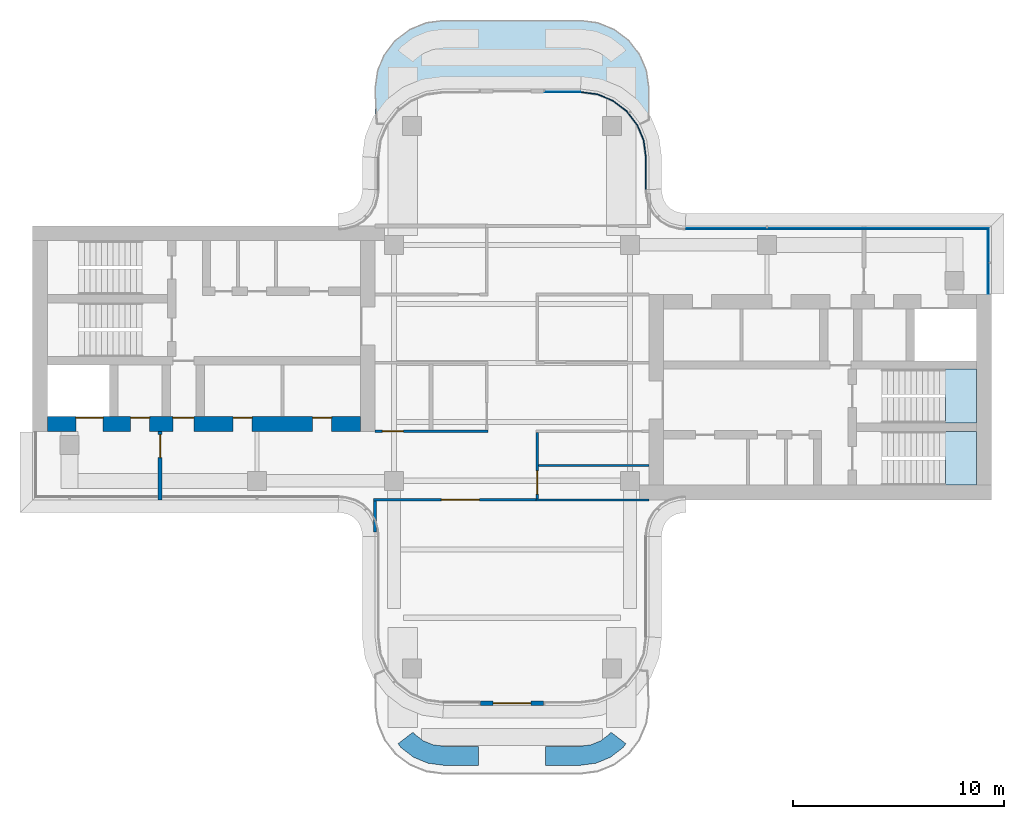
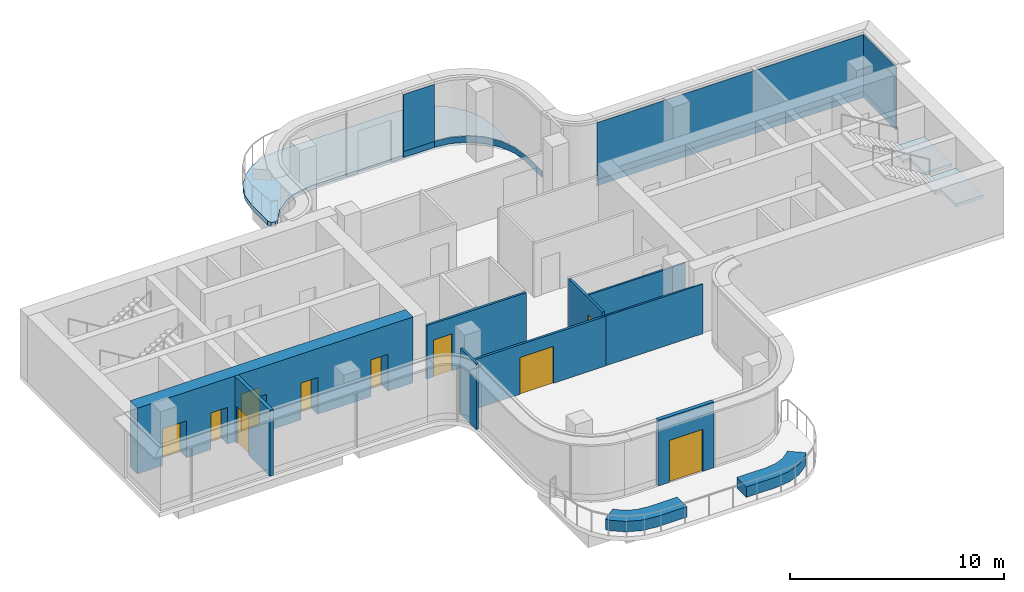
# One storey, part 7 of 11: 11 walls, 10 doors, 7 plates, 3 slabs, 10 openings, 6 elements without a shape of their own.
"""IFC4 building model written with IfcOpenShell, lengths in metres."""

import ifcopenshell
import ifcopenshell.guid

model = None  # the IFC model being written
_history = None  # IfcOwnerHistory: only IFC2X3 demands one
_inside = {}  # id of a spatial element -> (the spatial element, [elements in it])
_under = {}  # id of a project, library or spatial element -> (it, [spatial elements below it])
_declared = {}  # id of a project -> (the project, [libraries it declares])
_typed = {}  # id of a type object -> (the type object, [elements of that type])
_made_of = {}  # id of a material, layer set ... -> (it, [elements and type objects made of it])


def new_model(schema):
    """Start an empty IFC model of exactly this schema.

    Asked for "IFC4X3", IfcOpenShell would pick the latest addendum, in which some entities
    have other attributes; the version numbers below select the first issue.
    IFC2X3 requires an IfcOwnerHistory on every rooted entity: one is made here for all.
    """
    global model, _history
    if schema == "IFC4X3":
        model = ifcopenshell.file(schema_version=(4, 3, 0, 0))
    else:
        model = ifcopenshell.file(schema=schema)
    _inside.clear()
    _under.clear()
    _declared.clear()
    _typed.clear()
    _made_of.clear()
    _history = None
    if model.schema == "IFC2X3":
        org = make("IfcOrganization", Name="unknown")
        user = make(
            "IfcPersonAndOrganization",
            ThePerson=make("IfcPerson", FamilyName="unknown"),
            TheOrganization=org,
        )
        app = make(
            "IfcApplication",
            ApplicationDeveloper=org,
            Version="unknown",
            ApplicationFullName="unknown",
            ApplicationIdentifier="unknown",
        )
        _history = make(
            "IfcOwnerHistory",
            OwningUser=user,
            OwningApplication=app,
            ChangeAction="ADDED",
            CreationDate=0,
        )
    return model


def make(cls, **values):
    """One entity of the class cls with the attributes given. An attribute that is None is left unset."""
    return model.create_entity(
        cls, **{name: value for name, value in values.items() if value is not None}
    )


def rooted(cls, **values):
    """An entity with a GlobalId (a new one), such as an element, a storey or a relation."""
    return make(cls, GlobalId=ifcopenshell.guid.new(), OwnerHistory=_history, **values)


def si_unit(unit_type, name, prefix=None):
    """IfcSIUnit, for example si_unit("LENGTHUNIT", "METRE", prefix="MILLI")."""
    return make("IfcSIUnit", UnitType=unit_type, Prefix=prefix, Name=name)


def assignment(units):
    """IfcUnitAssignment: the units of a project."""
    return None if units is None else make("IfcUnitAssignment", Units=units)


def point(xyz):
    """IfcCartesianPoint."""
    return None if xyz is None else make("IfcCartesianPoint", Coordinates=xyz)


def direction(xyz):
    """IfcDirection."""
    return None if xyz is None else make("IfcDirection", DirectionRatios=xyz)


def frame(location, z_axis=None, x_axis=None):
    """IfcAxis2Placement3D, a coordinate frame: its origin and axes. An axis left out is left unset."""
    return make(
        "IfcAxis2Placement3D",
        Location=point(location),
        Axis=direction(z_axis),
        RefDirection=direction(x_axis),
    )


def frame_2d(location, x_axis=None):
    """IfcAxis2Placement2D, a coordinate frame in the plane: its origin and x axis."""
    return make(
        "IfcAxis2Placement2D", Location=point(location), RefDirection=direction(x_axis)
    )


def origin():
    """The frame at (0, 0, 0) with its axes left unset."""
    return frame((0.0, 0.0, 0.0))


def place(relative_to, where):
    """IfcLocalPlacement: puts the frame where relative to a parent placement (None: the world)."""
    return make(
        "IfcLocalPlacement", PlacementRelTo=relative_to, RelativePlacement=where
    )


def context(
    kind, dimensions, precision=None, world=None, true_north=None, identifier=None
):
    """IfcGeometricRepresentationContext, for example the 3D "Model" context."""
    return make(
        "IfcGeometricRepresentationContext",
        ContextIdentifier=identifier,
        ContextType=kind,
        CoordinateSpaceDimension=dimensions,
        Precision=precision,
        WorldCoordinateSystem=world,
        TrueNorth=true_north,
    )


def subcontext(parent, identifier, kind, view, scale=None):
    """IfcGeometricRepresentationSubContext, for example "Body" below "Model"."""
    return make(
        "IfcGeometricRepresentationSubContext",
        ContextIdentifier=identifier,
        ContextType=kind,
        ParentContext=parent,
        TargetScale=scale,
        TargetView=view,
    )


def project(units=None, contexts=None):
    """IfcProject with its units and contexts."""
    return rooted(
        "IfcProject",
        Name="project",
        RepresentationContexts=contexts,
        UnitsInContext=assignment(units),
    )


def spatial(cls, under=None, at=None, **own):
    """A site, building, storey or space (cls), placed at a placement, below another one or the project."""
    s = rooted(cls, ObjectPlacement=at, **own)
    if under is not None:
        _under.setdefault(under.id(), (under, []))[1].append(s)
    return s


def polyline(points):
    """IfcPolyline through the points."""
    return make("IfcPolyline", Points=[point(p) for p in points])


def profile(cls, at=None, kind="AREA", **sizes):
    """A parametric profile (cls). Its sizes go by their IFC names, for example OverallWidth=200.0."""
    return make(cls, ProfileType=kind, Position=at, **sizes)


def rectangle(**sizes):
    """IfcRectangleProfileDef."""
    return profile("IfcRectangleProfileDef", **sizes)


def outline(outer, holes=None, kind="AREA"):
    """IfcArbitraryClosedProfileDef: a profile drawn as a closed curve; with holes, ...WithVoids."""
    if holes is None:
        return make("IfcArbitraryClosedProfileDef", ProfileType=kind, OuterCurve=outer)
    return make(
        "IfcArbitraryProfileDefWithVoids",
        ProfileType=kind,
        OuterCurve=outer,
        InnerCurves=holes,
    )


def extrude(swept, where, along, depth):
    """IfcExtrudedAreaSolid: the profile swept, set in the frame where, extruded along a direction by depth."""
    return make(
        "IfcExtrudedAreaSolid",
        SweptArea=swept,
        Position=where,
        ExtrudedDirection=direction(along),
        Depth=depth,
    )


def shape(context_of_items, identifier, shape_type, items):
    """IfcShapeRepresentation: the items that make up one representation, for example the "Body"."""
    return make(
        "IfcShapeRepresentation",
        ContextOfItems=context_of_items,
        RepresentationIdentifier=identifier,
        RepresentationType=shape_type,
        Items=items,
    )


def source(mapping_origin, context_of_items, identifier, shape_type, items):
    """IfcRepresentationMap: a shape defined once, which mapped items show again and again."""
    return make(
        "IfcRepresentationMap",
        MappingOrigin=mapping_origin,
        MappedRepresentation=shape(context_of_items, identifier, shape_type, items),
    )


def transform(
    local_origin,
    x_axis=None,
    y_axis=None,
    z_axis=None,
    scale=None,
    scale2=None,
    scale3=None,
    uniform=True,
):
    """IfcCartesianTransformationOperator3D, or its non-uniform kind. x_axis, y_axis, z_axis: its Axis1, 2, 3."""
    if uniform:
        return make(
            "IfcCartesianTransformationOperator3D",
            Axis1=direction(x_axis),
            Axis2=direction(y_axis),
            LocalOrigin=point(local_origin),
            Scale=scale,
            Axis3=direction(z_axis),
        )
    return make(
        "IfcCartesianTransformationOperator3DnonUniform",
        Axis1=direction(x_axis),
        Axis2=direction(y_axis),
        LocalOrigin=point(local_origin),
        Scale=scale,
        Axis3=direction(z_axis),
        Scale2=scale2,
        Scale3=scale3,
    )


def mapped(mapping_source, mapping_target):
    """IfcMappedItem: shows the shape of a source again, moved by a transform."""
    return make(
        "IfcMappedItem", MappingSource=mapping_source, MappingTarget=mapping_target
    )


def material(Name=None, Category=None):
    """IfcMaterial."""
    return make("IfcMaterial", Name=Name, Category=Category)


def layer(
    of_material, thickness, ventilated=None, Name=None, Category=None, Priority=None
):
    """IfcMaterialLayer: one layer of a wall or slab, of a material (None: an air gap)."""
    return make(
        "IfcMaterialLayer",
        Material=of_material,
        LayerThickness=thickness,
        IsVentilated=ventilated,
        Name=Name,
        Category=Category,
        Priority=Priority,
    )


def layer_set(layers, Name=None):
    """IfcMaterialLayerSet."""
    return make("IfcMaterialLayerSet", MaterialLayers=layers, LayerSetName=Name)


def made_of(thing, what):
    """Note that an element or type object is made of a material, layer set ...; save() writes the relation."""
    if what is not None:
        _made_of.setdefault(what.id(), (what, []))[1].append(thing)
    return thing


def type_object(cls, material=None, **own):
    """A type object (cls), such as IfcWallType, which elements share."""
    return made_of(rooted(cls, **own), material)


def element(
    cls,
    number,
    at=None,
    inside=None,
    cuts=None,
    type_object=None,
    material=None,
    context=None,
    identifier="Body",
    shape_type=None,
    held_by="IfcProductDefinitionShape",
    body=None,
    shapes=None,
    **own,
):
    """One element of the class cls, such as IfcWall. Its Tag is "e" and its number.

    at: its placement. inside: the storey or other place that contains it. cuts: it is an
    opening in that element (IfcRelVoidsElement). A single representation is given by context,
    identifier, shape_type and body (its items); several are given by shapes. held_by: the class
    of the entity that holds the representations. save() writes the other relations.
    """
    e = rooted(cls, Tag="e%d" % number, ObjectPlacement=at, **own)
    if body is not None:
        shapes = [shape(context, identifier, shape_type, body)]
    if shapes is not None:
        e.Representation = make(held_by, Representations=shapes)
    if inside is not None:
        _inside.setdefault(inside.id(), (inside, []))[1].append(e)
    if cuts is not None:
        rooted(
            "IfcRelVoidsElement", RelatingBuildingElement=cuts, RelatedOpeningElement=e
        )
    if type_object is not None:
        _typed.setdefault(type_object.id(), (type_object, []))[1].append(e)
    return made_of(e, material)


def fill(opening, filler):
    """IfcRelFillsElement: the door or window that sits in an opening."""
    return rooted(
        "IfcRelFillsElement",
        RelatingOpeningElement=opening,
        RelatedBuildingElement=filler,
    )


def aggregate(whole, parts):
    """IfcRelAggregates: a whole, such as a stair, and the parts it consists of."""
    return rooted("IfcRelAggregates", RelatingObject=whole, RelatedObjects=parts)


def save(model, path):
    """Write the relations noted so far, then the file.

    IfcRelAggregates (storeys below a building ...), IfcRelContainedInSpatialStructure (elements
    in a storey), IfcRelDefinesByType, IfcRelAssociatesMaterial and IfcRelDeclares: one each for
    every whole, place, type object, material and project.
    """
    for whole, parts in _under.values():
        aggregate(whole, parts)
    for where, things in _inside.values():
        rooted(
            "IfcRelContainedInSpatialStructure",
            RelatedElements=things,
            RelatingStructure=where,
        )
    for kind, things in _typed.values():
        rooted("IfcRelDefinesByType", RelatedObjects=things, RelatingType=kind)
    for what, things in _made_of.values():
        rooted("IfcRelAssociatesMaterial", RelatedObjects=things, RelatingMaterial=what)
    for by, libraries in _declared.values():
        rooted("IfcRelDeclares", RelatingContext=by, RelatedDefinitions=libraries)
    model.write(path)


model = new_model("IFC4")

# Units and contexts
model_context = context("Model", 3, precision=1e-05, world=origin(), true_north=direction((0.0, 1.0)))
body_context = subcontext(model_context, "Body", "Model", "MODEL_VIEW")
ifc_project = project(units=[si_unit("LENGTHUNIT", "METRE"), si_unit("AREAUNIT", "SQUARE_METRE"), si_unit("VOLUMEUNIT", "CUBIC_METRE"), si_unit("PLANEANGLEUNIT", "RADIAN"), si_unit("MASSUNIT", "GRAM", prefix="KILO")], contexts=[model_context])

# Site, building, storey
site_placement = place(None, origin())
site = spatial("IfcSite", under=ifc_project, at=site_placement, CompositionType="ELEMENT")
building_placement = place(site_placement, origin())
building = spatial("IfcBuilding", under=site, at=building_placement, Name="Trellis Farm Tower", CompositionType="ELEMENT")
storey_placement = place(building_placement, frame((0.0, 0.0, 346.10009765625)))
storey = spatial("IfcBuildingStorey", under=building, at=storey_placement, Name="L78", CompositionType="ELEMENT", Elevation=346.10009765625)

# Curtain wall, plates
ifc_material_1 = material(Name="Aluminium and glass curtain wall", Category="aluminium")
ifc_layer_1 = layer(ifc_material_1, 0.176025390625)
ifc_layer_set_1 = layer_set([ifc_layer_1], Name="CROWN LANTERN CURTAIN WALL CW5")
curtain_wall_type = type_object("IfcCurtainWallType", Name="CROWN LANTERN CURTAIN WALL CW5", PredefinedType="NOTDEFINED", material=ifc_layer_set_1)
placement_1 = place(storey_placement, origin())
curtain_wall_1 = element("IfcCurtainWall", 1, at=placement_1, inside=storey, type_object=curtain_wall_type, Name="CW5 010", PredefinedType="NOTDEFINED")
ifc_material_2 = material(Name="Clear insulated glass", Category="glass")
ifc_layer_2 = layer(ifc_material_2, 0.055908203125)
ifc_layer_set_2 = layer_set([ifc_layer_2], Name="CW5 GLASS PANEL 56")
plate_type_1 = type_object("IfcPlateType", Name="CW5 GLASS PANEL 56", PredefinedType="CURTAIN_PANEL", material=ifc_layer_set_2)
placement_2 = place(storey_placement, frame((0.0, 0.0, 0.349853515625)))
plate_1 = element("IfcPlate", 2, at=placement_2, type_object=plate_type_1, Name="PL5 010", PredefinedType="CURTAIN_PANEL", context=body_context, shape_type="SweptSolid", body=[
    extrude(outline(polyline([(3.2421875, 12.8798828125), (1.56005859375, 12.8798828125), (1.56005859375, 12.823974609375), (3.238525390625, 12.823974609375), (3.2421875, 12.8798828125)])), origin(), (0.0, 0.0, 1.0), 3.25),
])
ifc_material_3 = material(Name="Sandstone faced insulated panel", Category="masonry")
ifc_layer_3 = layer(ifc_material_3, 0.044921875)
ifc_layer_set_3 = layer_set([ifc_layer_3], Name="CW5 STONE SPANDREL PANEL 45")
plate_type_2 = type_object("IfcPlateType", Name="CW5 STONE SPANDREL PANEL 45", PredefinedType="CURTAIN_PANEL", material=ifc_layer_set_3)
plate_2 = element("IfcPlate", 3, at=placement_1, type_object=plate_type_2, Name="PS5 010", PredefinedType="CURTAIN_PANEL", context=body_context, shape_type="SweptSolid", body=[
    extrude(outline(polyline([(3.2421875, 12.8798828125), (1.56005859375, 12.8798828125), (1.56005859375, 12.8349609375), (3.2392578125, 12.8349609375), (3.2421875, 12.8798828125)])), origin(), (0.0, 0.0, 1.0), 0.349853515625),
])
aggregate(curtain_wall_1, [plate_1, plate_2])

# Slab
ifc_material_4 = material(Name="Concrete C40/50", Category="concrete")
ifc_layer_4 = layer(ifc_material_4, 0.25)
ifc_layer_set_4 = layer_set([ifc_layer_4], Name="Terrace slab on composite deck 250")
slab_type_1 = type_object("IfcSlabType", Name="Terrace slab on composite deck 250", PredefinedType="FLOOR", material=ifc_layer_set_4)
slab_1_placement = place(storey_placement, frame((0.0, 0.0, -0.25)))
element("IfcSlab", 4, at=slab_1_placement, inside=storey, type_object=slab_type_1, Name="Terrace slab", PredefinedType="FLOOR", context=body_context, shape_type="SweptSolid", body=[
    extrude(outline(polyline([(-6.4189453125, 11.359619140625), (-6.5, 11.5439453125), (-6.5, 12.983642578125), (-6.497802734375, 13.01611328125), (-6.3935546875, 13.80859375), (-6.376708984375, 13.87158203125), (-6.0771484375, 14.594482421875), (-6.04443359375, 14.651123046875), (-5.568115234375, 15.27197265625), (-5.52197265625, 15.318115234375), (-4.901123046875, 15.79443359375), (-4.844482421875, 15.8271484375), (-4.12158203125, 16.126708984375), (-4.05859375, 16.1435546875), (-3.26611328125, 16.247802734375), (-3.233642578125, 16.25), (3.233642578125, 16.25), (3.26611328125, 16.247802734375), (4.05859375, 16.1435546875), (4.12158203125, 16.126708984375), (4.844482421875, 15.8271484375), (4.901123046875, 15.79443359375), (5.52197265625, 15.318115234375), (5.568115234375, 15.27197265625), (6.04443359375, 14.651123046875), (6.0771484375, 14.594482421875), (6.376708984375, 13.87158203125), (6.3935546875, 13.80859375), (6.497802734375, 13.01611328125), (6.5, 12.983642578125), (6.5, 11.5439453125), (6.4189453125, 11.359619140625), (6.228271484375, 11.294921875), (6.052978515625, 11.39111328125), (5.548583984375, 12.048583984375), (4.875244140625, 12.565185546875), (4.09130859375, 12.889892578125), (3.25, 13.00048828125), (-3.25, 13.00048828125), (-4.09130859375, 12.889892578125), (-4.875244140625, 12.565185546875), (-5.548583984375, 12.048583984375), (-6.052978515625, 11.39111328125), (-6.228271484375, 11.294921875), (-6.4189453125, 11.359619140625)])), origin(), (0.0, 0.0, 1.0), 0.25),
])

# Stair, slab
ifc_material_5 = material(Name="Concrete C50/60", Category="concrete")
stair_type = type_object("IfcStairType", Name="CORE EXIT STAIR 24 RISERS 167 MM", PredefinedType="HALF_TURN_STAIR", material=ifc_material_5)
stair_1 = element("IfcStair", 5, at=placement_1, inside=storey, type_object=stair_type, Name="Exit stair E1", PredefinedType="HALF_TURN_STAIR")
ifc_layer_5 = layer(ifc_material_5, 0.179931640625)
ifc_layer_set_5 = layer_set([ifc_layer_5], Name="CORE STAIR LANDING 180 CONCRETE C50/60")
slab_type_2 = type_object("IfcSlabType", Name="CORE STAIR LANDING 180 CONCRETE C50/60", PredefinedType="LANDING", material=ifc_layer_set_5)
shared_shape_1 = source(origin(), body_context, "Body", "SweptSolid", [
    extrude(outline(polyline([(20.56494140625, -5.800048828125), (20.56494140625, -4.60009765625), (20.574951171875, -4.60009765625), (20.574951171875, -4.449951171875), (20.21240234375, -4.449951171875), (20.21240234375, -3.25), (20.574951171875, -3.25), (22.050048828125, -3.25), (22.050048828125, -5.800048828125), (20.574951171875, -5.800048828125), (20.56494140625, -5.800048828125)])), origin(), (0.0, 0.0, 1.0), 0.18017578125),
])
placement_3 = place(storey_placement, frame((0.0, 0.0, 1.81982421875)))
slab_2 = element("IfcSlab", 6, at=placement_3, type_object=slab_type_2, Name="STE1 landing 1", PredefinedType="LANDING", context=body_context, shape_type="MappedRepresentation", body=[
    mapped(shared_shape_1, transform((0.0, 0.0, 0.0))),
])
aggregate(stair_1, [slab_2])

stair_2 = element("IfcStair", 7, at=placement_1, inside=storey, type_object=stair_type, Name="Exit stair E2", PredefinedType="HALF_TURN_STAIR")
shared_shape_2 = source(origin(), body_context, "Body", "SweptSolid", [
    extrude(outline(polyline([(20.56494140625, -2.85009765625), (20.56494140625, -1.64990234375), (20.574951171875, -1.64990234375), (20.574951171875, -1.5), (20.21240234375, -1.5), (20.21240234375, -0.300048828125), (20.574951171875, -0.300048828125), (22.050048828125, -0.300048828125), (22.050048828125, -2.85009765625), (20.574951171875, -2.85009765625), (20.56494140625, -2.85009765625)])), origin(), (0.0, 0.0, 1.0), 0.18017578125),
])
slab_3 = element("IfcSlab", 8, at=placement_3, type_object=slab_type_2, Name="STE2 landing 1", PredefinedType="LANDING", context=body_context, shape_type="MappedRepresentation", body=[
    mapped(shared_shape_2, transform((0.0, 0.0, 0.0))),
])
aggregate(stair_2, [slab_3])

# Curtain wall, plates
curtain_wall_2 = element("IfcCurtainWall", 9, at=placement_1, inside=storey, type_object=curtain_wall_type, Name="CW5 007", PredefinedType="NOTDEFINED")
shared_shape_3 = source(origin(), body_context, "Body", "SweptSolid", [
    extrude(outline(polyline([(22.6298828125, 6.3798828125), (8.2275390625, 6.3798828125), (8.2255859375, 6.323974609375), (22.573974609375, 6.323974609375), (22.6298828125, 6.3798828125)])), origin(), (0.0, 0.0, 1.0), 3.25),
])
plate_3 = element("IfcPlate", 10, at=placement_2, type_object=plate_type_1, Name="PL5 007", PredefinedType="CURTAIN_PANEL", context=body_context, shape_type="MappedRepresentation", body=[
    mapped(shared_shape_3, transform((0.0, 0.0, 0.0))),
])
shared_shape_4 = source(origin(), body_context, "Body", "SweptSolid", [
    extrude(outline(polyline([(22.6298828125, 6.3798828125), (8.2275390625, 6.3798828125), (8.22607421875, 6.3349609375), (22.5849609375, 6.3349609375), (22.6298828125, 6.3798828125)])), origin(), (0.0, 0.0, 1.0), 0.349853515625),
])
plate_4 = element("IfcPlate", 11, at=placement_1, type_object=plate_type_2, Name="PS5 007", PredefinedType="CURTAIN_PANEL", context=body_context, shape_type="MappedRepresentation", body=[
    mapped(shared_shape_4, transform((0.0, 0.0, 0.0))),
])
aggregate(curtain_wall_2, [plate_3, plate_4])

curtain_wall_3 = element("IfcCurtainWall", 12, at=placement_1, inside=storey, type_object=curtain_wall_type, Name="CW5 006", PredefinedType="NOTDEFINED")
shared_shape_5 = source(origin(), body_context, "Body", "SweptSolid", [
    extrude(outline(polyline([(22.6298828125, 3.280029296875), (22.6298828125, 6.3798828125), (22.573974609375, 6.323974609375), (22.573974609375, 3.280029296875), (22.6298828125, 3.280029296875)])), origin(), (0.0, 0.0, 1.0), 3.25),
])
plate_5 = element("IfcPlate", 13, at=placement_2, type_object=plate_type_1, Name="PL5 006", PredefinedType="CURTAIN_PANEL", context=body_context, shape_type="MappedRepresentation", body=[
    mapped(shared_shape_5, transform((0.0, 0.0, 0.0))),
])
shared_shape_6 = source(origin(), body_context, "Body", "SweptSolid", [
    extrude(outline(polyline([(22.6298828125, 3.280029296875), (22.6298828125, 6.3798828125), (22.5849609375, 6.3349609375), (22.5849609375, 3.280029296875), (22.6298828125, 3.280029296875)])), origin(), (0.0, 0.0, 1.0), 0.349853515625),
])
plate_6 = element("IfcPlate", 14, at=placement_1, type_object=plate_type_2, Name="PS5 006", PredefinedType="CURTAIN_PANEL", context=body_context, shape_type="MappedRepresentation", body=[
    mapped(shared_shape_6, transform((0.0, 0.0, 0.0))),
])
aggregate(curtain_wall_3, [plate_5, plate_6])

# Curtain wall, plate
curtain_wall_4 = element("IfcCurtainWall", 15, at=placement_1, inside=storey, type_object=curtain_wall_type, Name="CW5 009", PredefinedType="NOTDEFINED")
shared_shape_7 = source(origin(), body_context, "Body", "SweptSolid", [
    extrude(outline(polyline([(6.3798828125, 8.2275390625), (6.3798828125, 9.7421875), (6.2724609375, 10.559814453125), (5.959716796875, 11.314453125), (5.46240234375, 11.96240234375), (4.814453125, 12.459716796875), (4.059814453125, 12.7724609375), (3.2421875, 12.8798828125), (3.2392578125, 12.8349609375), (4.048095703125, 12.728515625), (4.791748046875, 12.42041015625), (5.430419921875, 11.930419921875), (5.92041015625, 11.291748046875), (6.228515625, 10.548095703125), (6.3349609375, 9.7392578125), (6.3349609375, 8.22607421875), (6.3798828125, 8.2275390625)])), origin(), (0.0, 0.0, 1.0), 0.349853515625),
])
plate_7 = element("IfcPlate", 16, at=placement_1, type_object=plate_type_2, Name="PS5 009", PredefinedType="CURTAIN_PANEL", context=body_context, shape_type="MappedRepresentation", body=[
    mapped(shared_shape_7, transform((0.0, 0.0, 0.0))),
])
aggregate(curtain_wall_4, [plate_7])

# Walls
ifc_material_6 = material(Name="Plasterboard on steel studs", Category="steel")
ifc_layer_6 = layer(ifc_material_6, 0.10009765625)
ifc_layer_set_6 = layer_set([ifc_layer_6], Name="PARTITION 100 STUD EI 30")
wall_type_1 = type_object("IfcWallType", Name="PARTITION 100 STUD EI 30", PredefinedType="PARTITIONING", material=ifc_layer_set_6)
wall_1_placement = place(storey_placement, frame((1.262451171875, -4.875, 0.0), z_axis=(0.0, 0.0, 1.0), x_axis=(1.0, 0.0, 0.0)))
element("IfcWall", 17, at=wall_1_placement, inside=storey, type_object=wall_type_1, Name="Partition PW2", PredefinedType="PARTITIONING", context=body_context, shape_type="SweptSolid", body=[
    extrude(rectangle(XDim=5.237548828125, YDim=0.10009765625, at=frame_2d((2.61865234375, 0.0))), origin(), (0.0, 0.0, 1.0), 3.04638671875),
])
ifc_material_7 = material(Name="Sandstone faced masonry planter", Category="masonry")
ifc_layer_7 = layer(ifc_material_7, 0.89990234375)
ifc_layer_set_7 = layer_set([ifc_layer_7], Name="TERRACE PLANTER BED 900")
wall_type_2 = type_object("IfcWallType", Name="TERRACE PLANTER BED 900", PredefinedType="USERDEFINED", material=ifc_layer_set_7)
element("IfcWall", 18, at=placement_1, inside=storey, type_object=wall_type_2, Name="PLANTER bed", ObjectType="PLANTER", PredefinedType="USERDEFINED", context=body_context, shape_type="SweptSolid", body=[
    extrude(outline(polyline([(-3.98681640625, -18.99951171875), (-4.67333984375, -18.715087890625), (-5.2626953125, -18.2626953125), (-5.40966796875, -18.071533203125), (-4.695556640625, -17.523681640625), (-4.620849609375, -17.620849609375), (-4.219482421875, -17.928955078125), (-3.751708984375, -18.122802734375), (-3.164794921875, -18.199951171875), (-1.60009765625, -18.199951171875), (-1.60009765625, -19.10009765625), (-3.223876953125, -19.10009765625), (-3.98681640625, -18.99951171875)])), origin(), (0.0, 0.0, 1.0), 0.599853515625),
])
element("IfcWall", 19, at=placement_1, inside=storey, type_object=wall_type_2, Name="PLANTER bed", ObjectType="PLANTER", PredefinedType="USERDEFINED", context=body_context, shape_type="SweptSolid", body=[
    extrude(outline(polyline([(4.67333984375, -18.715087890625), (3.98681640625, -18.99951171875), (3.223876953125, -19.10009765625), (1.60009765625, -19.10009765625), (1.60009765625, -18.199951171875), (3.164794921875, -18.199951171875), (3.751708984375, -18.122802734375), (4.219482421875, -17.928955078125), (4.620849609375, -17.620849609375), (4.695556640625, -17.523681640625), (5.40966796875, -18.071533203125), (5.2626953125, -18.2626953125), (4.67333984375, -18.715087890625)])), origin(), (0.0, 0.0, 1.0), 0.599853515625),
])

# Wall, openings, doors
ifc_layer_8 = layer(ifc_material_5, 0.699951171875)
ifc_layer_set_8 = layer_set([ifc_layer_8], Name="CORE OUTER WALL 700 CONCRETE C50/60")
wall_type_3 = type_object("IfcWallType", Name="CORE OUTER WALL 700 CONCRETE C50/60", PredefinedType="SHEAR", material=ifc_layer_set_8)
shared_shape_8 = source(origin(), body_context, "Body", "SweptSolid", [
    extrude(rectangle(XDim=14.85009765625, YDim=0.699951171875, at=frame_2d((7.425048828125, 0.0))), origin(), (0.0, 0.0, 1.0), 3.75),
])
wall_4_placement = place(storey_placement, frame((-7.199951171875, -2.89990234375, 0.0), z_axis=(0.0, 0.0, 1.0), x_axis=(-1.0, 0.0, 0.0)))
wall_4 = element("IfcWall", 20, at=wall_4_placement, inside=storey, type_object=wall_type_3, Name="Core wall", PredefinedType="SHEAR", context=body_context, shape_type="MappedRepresentation", body=[
    mapped(shared_shape_8, transform((0.0, 0.0, 0.0))),
])
shared_shape_9 = source(origin(), body_context, "Body", "SweptSolid", [
    extrude(rectangle(XDim=1.300048828125, YDim=2.10009765625, at=frame_2d((0.64990234375, 1.050048828125))), frame((0.0, 0.360107421875, 0.0), z_axis=(0.0, -1.0, 0.0), x_axis=(1.0, 0.0, 0.0)), (0.0, 0.0, 1.0), 0.72021484375),
])
opening_1_placement = place(wall_4_placement, frame((12.199951171875, 0.0, 0.0)))
opening_1 = element("IfcOpeningElement", 21, at=opening_1_placement, cuts=wall_4, Name="Opening LD15", PredefinedType="OPENING", context=body_context, shape_type="MappedRepresentation", body=[
    mapped(shared_shape_9, transform((0.0, 0.0, 0.0))),
])
shared_shape_10 = source(origin(), body_context, "Body", "SweptSolid", [
    extrude(rectangle(XDim=1.0, YDim=2.10009765625, at=frame_2d((0.5, 1.050048828125))), frame((0.0, 0.360107421875, 0.0), z_axis=(0.0, -1.0, 0.0), x_axis=(1.0, 0.0, 0.0)), (0.0, 0.0, 1.0), 0.72021484375),
])
opening_2_placement = place(wall_4_placement, frame((7.89990234375, 0.0, 0.0)))
opening_2 = element("IfcOpeningElement", 22, at=opening_2_placement, cuts=wall_4, Name="Opening DC92", PredefinedType="OPENING", context=body_context, shape_type="MappedRepresentation", body=[
    mapped(shared_shape_10, transform((0.0, 0.0, 0.0))),
])
shared_shape_11 = source(origin(), body_context, "Body", "SweptSolid", [
    extrude(rectangle(XDim=0.89990234375, YDim=2.10009765625, at=frame_2d((0.449951171875, 1.050048828125))), frame((0.0, 0.360107421875, 0.0), z_axis=(0.0, -1.0, 0.0), x_axis=(1.0, 0.0, 0.0)), (0.0, 0.0, 1.0), 0.72021484375),
])
opening_3_placement = place(wall_4_placement, frame((1.362548828125, 0.0, 0.0)))
opening_3 = element("IfcOpeningElement", 23, at=opening_3_placement, cuts=wall_4, Name="Opening DC98", PredefinedType="OPENING", context=body_context, shape_type="MappedRepresentation", body=[
    mapped(shared_shape_11, transform((0.0, 0.0, 0.0))),
])
opening_4_placement = place(wall_4_placement, frame((5.137451171875, 0.0, 0.0)))
opening_4 = element("IfcOpeningElement", 24, at=opening_4_placement, cuts=wall_4, Name="Opening DC103", PredefinedType="OPENING", context=body_context, shape_type="MappedRepresentation", body=[
    mapped(shared_shape_11, transform((0.0, 0.0, 0.0))),
])
opening_5_placement = place(wall_4_placement, frame((10.0, 0.0, 0.0)))
opening_5 = element("IfcOpeningElement", 25, at=opening_5_placement, cuts=wall_4, Name="Opening DC134", PredefinedType="OPENING", context=body_context, shape_type="MappedRepresentation", body=[
    mapped(shared_shape_11, transform((0.0, 0.0, 0.0))),
])
ifc_material_8 = material(Name="Steel", Category="steel")
door_type_1 = type_object("IfcDoorType", Name="CORE FIRE DOOR 1000 X 2100", OperationType="NOTDEFINED", PredefinedType="DOOR", material=ifc_material_8)
shared_shape_12 = source(origin(), body_context, "Body", "SweptSolid", [
    extrude(rectangle(XDim=1.0, YDim=2.10009765625, at=frame_2d((0.5, 1.050048828125))), frame((0.0, -0.27490234375, 0.0), z_axis=(0.0, -1.0, 0.0), x_axis=(1.0, 0.0, 0.0)), (0.0, 0.0, 1.0), 0.050048828125),
])
door_1_placement = place(opening_2_placement, origin())
door_1 = element("IfcDoor", 26, at=door_1_placement, inside=storey, type_object=door_type_1, Name="Core door", OperationType="SINGLE_SWING_LEFT", OverallHeight=2.10009765625, OverallWidth=1.0, PredefinedType="DOOR", context=body_context, shape_type="MappedRepresentation", body=[
    mapped(shared_shape_12, transform((0.0, 0.0, 0.0))),
])
fill(opening_2, door_1)
door_type_2 = type_object("IfcDoorType", Name="CORE FIRE DOOR 900 X 2100", OperationType="NOTDEFINED", PredefinedType="DOOR", material=ifc_material_8)
shared_shape_13 = source(origin(), body_context, "Body", "SweptSolid", [
    extrude(rectangle(XDim=0.89990234375, YDim=2.10009765625, at=frame_2d((0.449951171875, 1.050048828125))), frame((0.0, -0.27490234375, 0.0), z_axis=(0.0, -1.0, 0.0), x_axis=(1.0, 0.0, 0.0)), (0.0, 0.0, 1.0), 0.050048828125),
])
door_2_placement = place(opening_3_placement, origin())
door_2 = element("IfcDoor", 27, at=door_2_placement, inside=storey, type_object=door_type_2, Name="Core door", OperationType="SINGLE_SWING_RIGHT", OverallHeight=2.10009765625, OverallWidth=0.89990234375, PredefinedType="DOOR", context=body_context, shape_type="MappedRepresentation", body=[
    mapped(shared_shape_13, transform((0.0, 0.0, 0.0))),
])
fill(opening_3, door_2)
door_3_placement = place(opening_4_placement, origin())
door_3 = element("IfcDoor", 28, at=door_3_placement, inside=storey, type_object=door_type_2, Name="Core door", OperationType="SINGLE_SWING_LEFT", OverallHeight=2.10009765625, OverallWidth=0.89990234375, PredefinedType="DOOR", context=body_context, shape_type="MappedRepresentation", body=[
    mapped(shared_shape_13, transform((0.0, 0.0, 0.0))),
])
fill(opening_4, door_3)
door_4_placement = place(opening_5_placement, origin())
door_4 = element("IfcDoor", 29, at=door_4_placement, inside=storey, type_object=door_type_2, Name="Core door", OperationType="SINGLE_SWING_RIGHT", OverallHeight=2.10009765625, OverallWidth=0.89990234375, PredefinedType="DOOR", context=body_context, shape_type="MappedRepresentation", body=[
    mapped(shared_shape_13, transform((0.0, 0.0, 0.0))),
])
fill(opening_5, door_4)
ifc_material_9 = material(Name="Stainless steel", Category="steel")
door_type_3 = type_object("IfcDoorType", Name="LIFT LANDING DOOR 1300 X 2100", OperationType="DOUBLE_DOOR_SLIDING", PredefinedType="DOOR", material=ifc_material_9)
shared_shape_14 = source(origin(), body_context, "Body", "SweptSolid", [
    extrude(rectangle(XDim=1.300048828125, YDim=2.10009765625, at=frame_2d((0.64990234375, 1.050048828125))), frame((0.0, -0.27490234375, 0.0), z_axis=(0.0, -1.0, 0.0), x_axis=(1.0, 0.0, 0.0)), (0.0, 0.0, 1.0), 0.050048828125),
])
door_5_placement = place(opening_1_placement, origin())
door_5 = element("IfcDoor", 30, at=door_5_placement, inside=storey, type_object=door_type_3, Name="Lift landing door", OperationType="DOUBLE_DOOR_SLIDING", OverallHeight=2.10009765625, OverallWidth=1.300048828125, PredefinedType="DOOR", context=body_context, shape_type="MappedRepresentation", body=[
    mapped(shared_shape_14, transform((0.0, 0.0, 0.0))),
])
fill(opening_1, door_5)

# Wall, opening, door
ifc_material_10 = material(Name="Masonry blockwork", Category="masonry")
ifc_layer_9 = layer(ifc_material_10, 0.199951171875)
ifc_layer_set_9 = layer_set([ifc_layer_9], Name="FIRE LOBBY PARTITION 200 BLOCKWORK")
wall_type_4 = type_object("IfcWallType", Name="FIRE LOBBY PARTITION 200 BLOCKWORK", PredefinedType="PARTITIONING", material=ifc_layer_set_9)
shared_shape_15 = source(origin(), body_context, "Body", "SweptSolid", [
    extrude(rectangle(XDim=3.25, YDim=0.199951171875, at=frame_2d((1.625, 0.0))), origin(), (0.0, 0.0, 1.0), 3.75),
])
wall_5_placement = place(storey_placement, frame((-16.699951171875, -3.25, 0.0), z_axis=(0.0, 0.0, 1.0), x_axis=(0.0, -1.0, 0.0)))
wall_5 = element("IfcWall", 31, at=wall_5_placement, inside=storey, type_object=wall_type_4, Name="Fire-fighting lobby partition", PredefinedType="PARTITIONING", context=body_context, shape_type="MappedRepresentation", body=[
    mapped(shared_shape_15, transform((0.0, 0.0, 0.0))),
])
shared_shape_16 = source(origin(), body_context, "Body", "SweptSolid", [
    extrude(rectangle(XDim=1.10009765625, YDim=2.10009765625, at=frame_2d((0.550048828125, 1.050048828125))), frame((0.0, 0.110107421875, 0.0), z_axis=(0.0, -1.0, 0.0), x_axis=(1.0, 0.0, 0.0)), (0.0, 0.0, 1.0), 0.22021484375),
])
opening_6_placement = place(wall_5_placement, frame((0.14990234375, 0.0, 0.0)))
opening_6 = element("IfcOpeningElement", 32, at=opening_6_placement, cuts=wall_5, Name="Opening DC93", PredefinedType="OPENING", context=body_context, shape_type="MappedRepresentation", body=[
    mapped(shared_shape_16, transform((0.0, 0.0, 0.0))),
])
door_type_4 = type_object("IfcDoorType", Name="CORE FIRE DOOR 1100 X 2100", OperationType="NOTDEFINED", PredefinedType="DOOR", material=ifc_material_8)
shared_shape_17 = source(origin(), body_context, "Body", "SweptSolid", [
    extrude(rectangle(XDim=1.10009765625, YDim=2.10009765625, at=frame_2d((0.550048828125, 1.050048828125))), frame((0.0, 0.02490234375, 0.0), z_axis=(0.0, -1.0, 0.0), x_axis=(1.0, 0.0, 0.0)), (0.0, 0.0, 1.0), 0.050048828125),
])
door_6_placement = place(opening_6_placement, origin())
door_6 = element("IfcDoor", 33, at=door_6_placement, inside=storey, type_object=door_type_4, Name="Core door", OperationType="SINGLE_SWING_RIGHT", OverallHeight=2.10009765625, OverallWidth=1.10009765625, PredefinedType="DOOR", context=body_context, shape_type="MappedRepresentation", body=[
    mapped(shared_shape_17, transform((0.0, 0.0, 0.0))),
])
fill(opening_6, door_6)

ifc_material_11 = material(Name="Sandstone faced insulated wall", Category="masonry")
ifc_layer_10 = layer(ifc_material_11, 0.199951171875)
ifc_layer_set_10 = layer_set([ifc_layer_10], Name="EXTERNAL INFILL WALL 200")
wall_type_5 = type_object("IfcWallType", Name="EXTERNAL INFILL WALL 200", PredefinedType="SOLIDWALL", material=ifc_layer_set_10)
shared_shape_18 = source(origin(), body_context, "Body", "SweptSolid", [
    extrude(rectangle(XDim=3.0, YDim=0.199951171875, at=frame_2d((1.5, 0.0))), origin(), (0.0, 0.0, 1.0), 3.75),
])
wall_6_placement = place(storey_placement, frame((-1.5, -16.14990234375, 0.0), z_axis=(0.0, 0.0, 1.0), x_axis=(1.0, 0.0, 0.0)))
wall_6 = element("IfcWall", 34, at=wall_6_placement, inside=storey, type_object=wall_type_5, Name="EW1 01", PredefinedType="SOLIDWALL", context=body_context, shape_type="MappedRepresentation", body=[
    mapped(shared_shape_18, transform((0.0, 0.0, 0.0))),
])
shared_shape_19 = source(origin(), body_context, "Body", "SweptSolid", [
    extrude(rectangle(XDim=1.800048828125, YDim=2.39990234375, at=frame_2d((0.89990234375, 1.199951171875))), frame((0.0, 0.110107421875, 0.0), z_axis=(0.0, -1.0, 0.0), x_axis=(1.0, 0.0, 0.0)), (0.0, 0.0, 1.0), 0.22021484375),
])
opening_7_placement = place(wall_6_placement, frame((0.60009765625, 0.0, 0.0)))
opening_7 = element("IfcOpeningElement", 35, at=opening_7_placement, cuts=wall_6, Name="Opening ED1", PredefinedType="OPENING", context=body_context, shape_type="MappedRepresentation", body=[
    mapped(shared_shape_19, transform((0.0, 0.0, 0.0))),
])
ifc_material_12 = material(Name="Aluminium framed glazed door", Category="aluminium")
door_type_5 = type_object("IfcDoorType", Name="BALCONY DOOR 1800x2400", OperationType="DOUBLE_DOOR_SINGLE_SWING", PredefinedType="DOOR", material=ifc_material_12)
shared_shape_20 = source(origin(), body_context, "Body", "SweptSolid", [
    extrude(rectangle(XDim=1.800048828125, YDim=2.39990234375, at=frame_2d((0.89990234375, 1.199951171875))), frame((0.0, 0.02490234375, 0.0), z_axis=(0.0, -1.0, 0.0), x_axis=(1.0, 0.0, 0.0)), (0.0, 0.0, 1.0), 0.050048828125),
])
door_7_placement = place(opening_7_placement, origin())
door_7 = element("IfcDoor", 36, at=door_7_placement, inside=storey, type_object=door_type_5, Name="Balcony door", OperationType="DOUBLE_DOOR_SINGLE_SWING", OverallHeight=2.39990234375, OverallWidth=1.800048828125, PredefinedType="DOOR", context=body_context, shape_type="MappedRepresentation", body=[
    mapped(shared_shape_20, transform((0.0, 0.0, 0.0))),
])
fill(opening_7, door_7)

ifc_material_13 = material(Name="Plasterboard on steel studs, mineral wool", Category="steel")
ifc_layer_11 = layer(ifc_material_13, 0.125)
ifc_layer_set_11 = layer_set([ifc_layer_11], Name="PARTITION 125 STUD EI 60")
wall_type_6 = type_object("IfcWallType", Name="PARTITION 125 STUD EI 60", PredefinedType="PARTITIONING", material=ifc_layer_set_11)
shared_shape_21 = source(origin(), body_context, "Body", "SweptSolid", [
    extrude(rectangle(XDim=3.137451171875, YDim=0.125, at=frame_2d((1.56884765625, 0.0))), origin(), (0.0, 0.0, 1.0), 3.04638671875),
])
wall_7_placement = place(storey_placement, frame((1.199951171875, -3.3125, 0.0), z_axis=(0.0, 0.0, 1.0), x_axis=(0.0, -1.0, 0.0)))
wall_7 = element("IfcWall", 37, at=wall_7_placement, inside=storey, type_object=wall_type_6, Name="Partition PW1", PredefinedType="PARTITIONING", context=body_context, shape_type="MappedRepresentation", body=[
    mapped(shared_shape_21, transform((0.0, 0.0, 0.0))),
])
shared_shape_22 = source(origin(), body_context, "Body", "SweptSolid", [
    extrude(rectangle(XDim=1.10009765625, YDim=2.10009765625, at=frame_2d((0.550048828125, 1.050048828125))), frame((0.0, 0.072509765625, 0.0), z_axis=(0.0, -1.0, 0.0), x_axis=(1.0, 0.0, 0.0)), (0.0, 0.0, 1.0), 0.14501953125),
])
opening_8_placement = place(wall_7_placement, frame((1.8125, 0.0, 0.0)))
opening_8 = element("IfcOpeningElement", 38, at=opening_8_placement, cuts=wall_7, Name="Opening D501", PredefinedType="OPENING", context=body_context, shape_type="MappedRepresentation", body=[
    mapped(shared_shape_22, transform((0.0, 0.0, 0.0))),
])
ifc_material_14 = material(Name="Fire-rated timber door leaf in a hollow metal frame", Category="wood")
door_type_6 = type_object("IfcDoorType", Name="DOOR 1100x2100 FD30S", OperationType="NOTDEFINED", PredefinedType="DOOR", material=ifc_material_14)
door_8_placement = place(opening_8_placement, origin())
door_8 = element("IfcDoor", 39, at=door_8_placement, inside=storey, type_object=door_type_6, Name="Door D501", OperationType="SINGLE_SWING_LEFT", OverallHeight=2.10009765625, OverallWidth=1.10009765625, PredefinedType="DOOR", context=body_context, shape_type="MappedRepresentation", body=[
    mapped(shared_shape_17, transform((0.0, 0.0, 0.0))),
])
fill(opening_8, door_8)

# Wall
shared_shape_23 = source(origin(), body_context, "Body", "SweptSolid", [
    extrude(rectangle(XDim=1.468994140625, YDim=0.125, at=frame_2d((0.734375, 0.0))), origin(), (0.0, 0.0, 1.0), 3.75),
])
wall_8_placement = place(storey_placement, frame((-6.5, -6.5625, 0.0), z_axis=(0.0, 0.0, 1.0), x_axis=(0.0, -1.0, 0.0)))
element("IfcWall", 40, at=wall_8_placement, inside=storey, type_object=wall_type_6, Name="Partition PW1", PredefinedType="PARTITIONING", context=body_context, shape_type="MappedRepresentation", body=[
    mapped(shared_shape_23, transform((0.0, 0.0, 0.0))),
])

# Wall, opening, door
shared_shape_24 = source(origin(), body_context, "Body", "SweptSolid", [
    extrude(rectangle(XDim=5.362548828125, YDim=0.125, at=frame_2d((2.68115234375, 0.0))), origin(), (0.0, 0.0, 1.0), 3.04638671875),
])
wall_9_placement = place(storey_placement, frame((-1.137451171875, -3.25, 0.0), z_axis=(0.0, 0.0, 1.0), x_axis=(-1.0, 0.0, 0.0)))
wall_9 = element("IfcWall", 41, at=wall_9_placement, inside=storey, type_object=wall_type_6, Name="Partition PW1", PredefinedType="PARTITIONING", context=body_context, shape_type="MappedRepresentation", body=[
    mapped(shared_shape_24, transform((0.0, 0.0, 0.0))),
])
shared_shape_25 = source(origin(), body_context, "Body", "SweptSolid", [
    extrude(rectangle(XDim=1.0, YDim=2.10009765625, at=frame_2d((0.5, 1.050048828125))), frame((0.0, 0.072509765625, 0.0), z_axis=(0.0, -1.0, 0.0), x_axis=(1.0, 0.0, 0.0)), (0.0, 0.0, 1.0), 0.14501953125),
])
opening_9_placement = place(wall_9_placement, frame((4.012451171875, 0.0, 0.0)))
opening_9 = element("IfcOpeningElement", 42, at=opening_9_placement, cuts=wall_9, Name="Opening D101", PredefinedType="OPENING", context=body_context, shape_type="MappedRepresentation", body=[
    mapped(shared_shape_25, transform((0.0, 0.0, 0.0))),
])
door_type_7 = type_object("IfcDoorType", Name="DOOR 1000x2100 FD30S", OperationType="NOTDEFINED", PredefinedType="DOOR", material=ifc_material_14)
shared_shape_26 = source(origin(), body_context, "Body", "SweptSolid", [
    extrude(rectangle(XDim=1.0, YDim=2.10009765625, at=frame_2d((0.5, 1.050048828125))), frame((0.0, 0.02490234375, 0.0), z_axis=(0.0, -1.0, 0.0), x_axis=(1.0, 0.0, 0.0)), (0.0, 0.0, 1.0), 0.050048828125),
])
door_9_placement = place(opening_9_placement, origin())
door_9 = element("IfcDoor", 43, at=door_9_placement, inside=storey, type_object=door_type_7, Name="Door D101", OperationType="SINGLE_SWING_RIGHT", OverallHeight=2.10009765625, OverallWidth=1.0, PredefinedType="DOOR", context=body_context, shape_type="MappedRepresentation", body=[
    mapped(shared_shape_26, transform((0.0, 0.0, 0.0))),
])
fill(opening_9, door_9)

# Wall
shared_shape_27 = source(origin(), body_context, "Body", "SweptSolid", [
    extrude(rectangle(XDim=5.362548828125, YDim=0.10009765625, at=frame_2d((2.68115234375, 0.0))), origin(), (0.0, 0.0, 1.0), 2.829833984375),
])
wall_10_placement = place(storey_placement, frame((1.137451171875, -6.5, 0.0), z_axis=(0.0, 0.0, 1.0), x_axis=(1.0, 0.0, 0.0)))
element("IfcWall", 44, at=wall_10_placement, inside=storey, type_object=wall_type_1, Name="Partition PW2", PredefinedType="PARTITIONING", context=body_context, shape_type="MappedRepresentation", body=[
    mapped(shared_shape_27, transform((0.0, 0.0, 0.0))),
])

# Wall, opening, door
shared_shape_28 = source(origin(), body_context, "Body", "SweptSolid", [
    extrude(rectangle(XDim=7.824951171875, YDim=0.125, at=frame_2d((3.91259765625, 0.0))), origin(), (0.0, 0.0, 1.0), 2.829833984375),
])
wall_11_placement = place(storey_placement, frame((1.262451171875, -6.5, 0.0), z_axis=(0.0, 0.0, 1.0), x_axis=(-1.0, 0.0, 0.0)))
wall_11 = element("IfcWall", 45, at=wall_11_placement, inside=storey, type_object=wall_type_6, Name="Partition PW1", PredefinedType="PARTITIONING", context=body_context, shape_type="MappedRepresentation", body=[
    mapped(shared_shape_28, transform((0.0, 0.0, 0.0))),
])
shared_shape_29 = source(origin(), body_context, "Body", "SweptSolid", [
    extrude(rectangle(XDim=1.800048828125, YDim=2.10009765625, at=frame_2d((0.89990234375, 1.050048828125))), frame((0.0, 0.072509765625, 0.0), z_axis=(0.0, -1.0, 0.0), x_axis=(1.0, 0.0, 0.0)), (0.0, 0.0, 1.0), 0.14501953125),
])
opening_10_placement = place(wall_11_placement, frame((2.8125, 0.0, 0.0)))
opening_10 = element("IfcOpeningElement", 46, at=opening_10_placement, cuts=wall_11, Name="Opening D201", PredefinedType="OPENING", context=body_context, shape_type="MappedRepresentation", body=[
    mapped(shared_shape_29, transform((0.0, 0.0, 0.0))),
])
door_type_8 = type_object("IfcDoorType", Name="DOOR PAIR 1800x2100 FD30S", OperationType="NOTDEFINED", PredefinedType="DOOR", material=ifc_material_14)
shared_shape_30 = source(origin(), body_context, "Body", "SweptSolid", [
    extrude(rectangle(XDim=1.800048828125, YDim=2.10009765625, at=frame_2d((0.89990234375, 1.050048828125))), frame((0.0, 0.02490234375, 0.0), z_axis=(0.0, -1.0, 0.0), x_axis=(1.0, 0.0, 0.0)), (0.0, 0.0, 1.0), 0.050048828125),
])
door_10_placement = place(opening_10_placement, origin())
door_10 = element("IfcDoor", 47, at=door_10_placement, inside=storey, type_object=door_type_8, Name="Door D201", OperationType="DOUBLE_DOOR_SINGLE_SWING", OverallHeight=2.10009765625, OverallWidth=1.800048828125, PredefinedType="DOOR", context=body_context, shape_type="MappedRepresentation", body=[
    mapped(shared_shape_30, transform((0.0, 0.0, 0.0))),
])
fill(opening_10, door_10)

save(model, "model.ifc")
